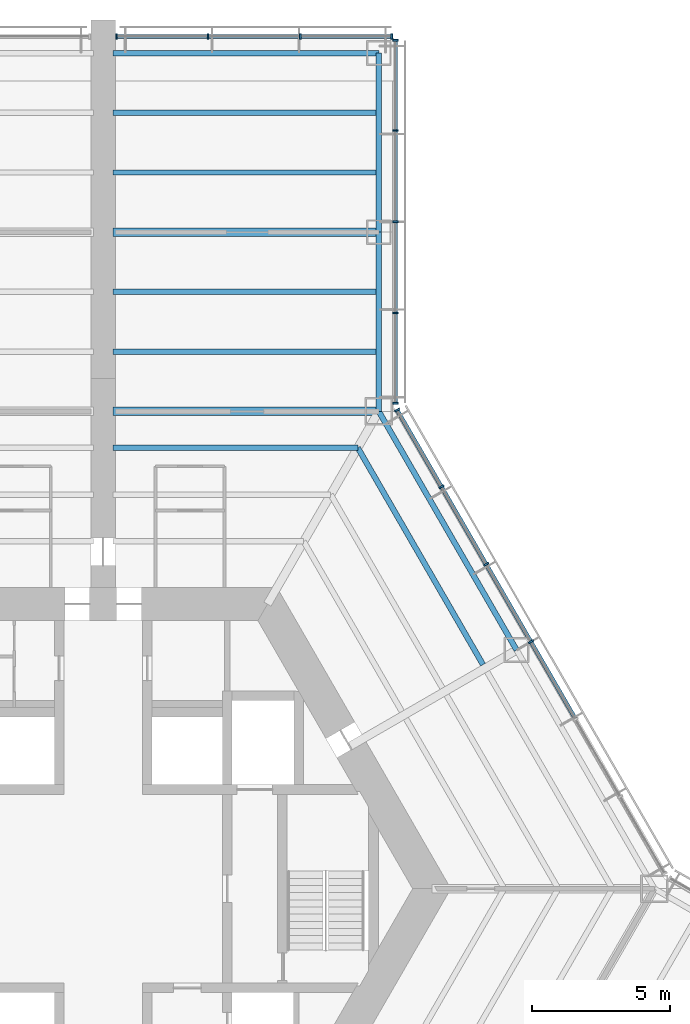
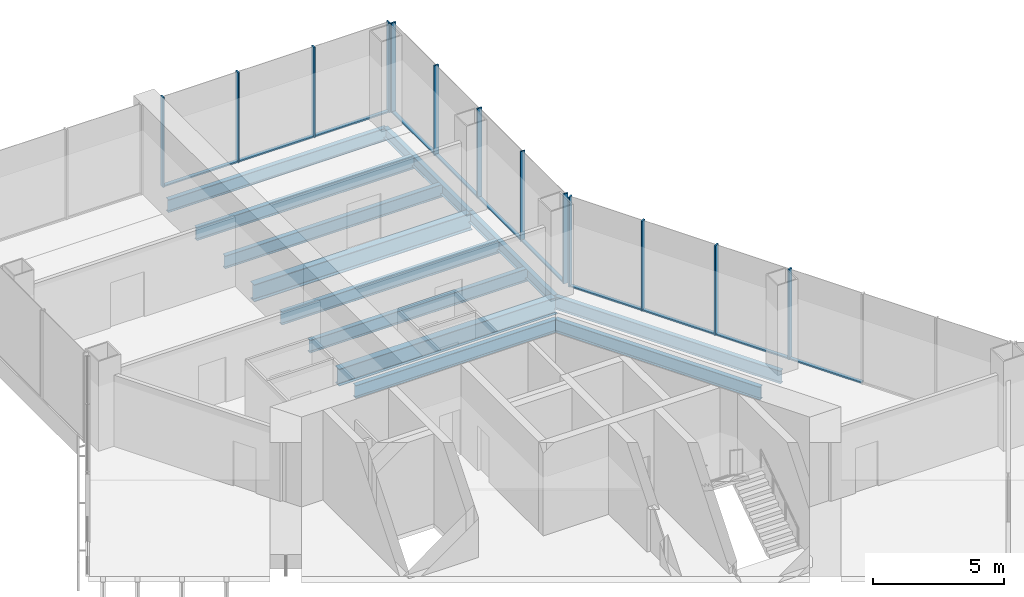
# One storey, part 7 of 15: 24 members, 12 beams, 3 elements without a shape of their own.
"""IFC4 building model written with IfcOpenShell, lengths in metres."""

from ifc_helpers import new_model, si_unit, direction, frame, origin, origin_2d, place, context, subcontext, project, spatial, rectangle, i_section, extrude, material, material_profile, profile_set, type_object, element, aggregate, save


model = new_model("IFC4")

# Units and contexts
model_context = context("Model", 3, precision=1e-05, world=origin(), true_north=direction((0.0, 1.0)))
body_context = subcontext(model_context, "Body", "Model", "MODEL_VIEW")
ifc_project = project(units=[si_unit("LENGTHUNIT", "METRE"), si_unit("AREAUNIT", "SQUARE_METRE"), si_unit("VOLUMEUNIT", "CUBIC_METRE"), si_unit("PLANEANGLEUNIT", "RADIAN"), si_unit("MASSUNIT", "GRAM", prefix="KILO")], contexts=[model_context])

# Site, building, storey
site_placement = place(None, origin())
site = spatial("IfcSite", under=ifc_project, at=site_placement, CompositionType="ELEMENT")
building_placement = place(site_placement, origin())
building = spatial("IfcBuilding", under=site, at=building_placement, Name="Kasaneha Research Tower", CompositionType="ELEMENT")
storey_placement = place(building_placement, frame((0.0, 0.0, 35.199951171875)))
storey = spatial("IfcBuildingStorey", under=building, at=storey_placement, Name="L09", CompositionType="ELEMENT", Elevation=35.199951171875)

# Beams
ifc_material_1 = material(Name="Steel SN490B", Category="steel")
ifc_material_profile_1 = material_profile(ifc_material_1, i_section(OverallWidth=0.199951171875, OverallDepth=0.60009765625, WebThickness=0.010986328125, FlangeThickness=0.01708984375, FilletRadius=0.012939453125, at=origin_2d()), Name="H-600x200x11x17")
ifc_profile_set_1 = profile_set([ifc_material_profile_1], Name="Steel SN490B")
beam_type_1 = type_object("IfcBeamType", Name="B1-2 secondary beam H-600x200x11x17", PredefinedType="JOIST", material=ifc_profile_set_1)
beam_1_placement = place(storey_placement, frame((9.237548828125, 16.0, -0.469970703125), z_axis=(0.500010814234, -0.866019160093, 0.0), x_axis=(0.866019160093, 0.500010814234, 0.0)))
element("IfcBeam", 1, at=beam_1_placement, inside=storey, type_object=beam_type_1, Name="Secondary beam RS030R3 L09", PredefinedType="JOIST", context=body_context, shape_type="SweptSolid", body=[
    extrude(i_section(OverallWidth=0.199951171875, OverallDepth=0.60009765625, WebThickness=0.010986328125, FlangeThickness=0.01708984375, FilletRadius=0.012939453125, at=origin_2d()), origin(), (0.0, 0.0, 1.0), 9.087646484375),
])
beam_2_placement = place(storey_placement, frame((9.237548828125, 16.0, -0.469970703125), z_axis=(-1.0, 0.0, 0.0), x_axis=(0.0, -1.0, 0.0)))
element("IfcBeam", 2, at=beam_2_placement, inside=storey, type_object=beam_type_1, Name="Secondary beam RS090L3 L09", PredefinedType="JOIST", context=body_context, shape_type="SweptSolid", body=[
    extrude(i_section(OverallWidth=0.199951171875, OverallDepth=0.60009765625, WebThickness=0.010986328125, FlangeThickness=0.01708984375, FilletRadius=0.012939453125, at=origin_2d()), origin(), (0.0, 0.0, 1.0), 8.887451171875),
])
ifc_material_2 = material(Name="Steel SN490B", Category="steel")
ifc_material_profile_2 = material_profile(ifc_material_2, i_section(OverallWidth=0.198974609375, OverallDepth=0.595947265625, WebThickness=0.010009765625, FlangeThickness=0.014892578125, FilletRadius=0.012939453125, at=origin_2d()), Name="H-596x199x10x15")
ifc_profile_set_2 = profile_set([ifc_material_profile_2], Name="Steel SN490B")
beam_type_2 = type_object("IfcBeamType", Name="B2-2 secondary beam H-596x199x10x15", PredefinedType="JOIST", material=ifc_profile_set_2)
for number, where, z_axis, x_axis, name in (
    (3, (10.0, 19.487060546875, -0.468017578125), (-1.0, 0.0, 0.0), (0.0, -1.0, 0.0), "Secondary beam WBAP1 L09"),
    (4, (10.0, 21.65380859375, -0.468017578125), (-1.0, 0.0, 0.0), (0.0, -1.0, 0.0), "Secondary beam WBAP2 L09"),
    (5, (10.0, 25.987060546875, -0.468017578125), (-1.0, 0.0, 0.0), (0.0, -1.0, 0.0), "Secondary beam WBAP3 L09"),
    (6, (10.0, 28.15380859375, -0.468017578125), (-1.0, 0.0, 0.0), (0.0, -1.0, 0.0), "Secondary beam WBAP4 L09"),
):
    element("IfcBeam", number, at=place(storey_placement, frame(where, z_axis=z_axis, x_axis=x_axis)), inside=storey, type_object=beam_type_2, Name=name, PredefinedType="JOIST", context=body_context, shape_type="SweptSolid", body=[
        extrude(i_section(OverallWidth=0.198974609375, OverallDepth=0.595947265625, WebThickness=0.010009765625, FlangeThickness=0.014892578125, FilletRadius=0.012939453125, at=origin_2d()), origin(), (0.0, 0.0, 1.0), 9.64990234375),
    ])

# Curtain wall, members
ifc_material_3 = material(Name="Glass and aluminium", Category="aluminium")
curtain_wall_type = type_object("IfcCurtainWallType", Name="Dry laboratory curtain wall", PredefinedType="USERDEFINED", material=ifc_material_3)
curtain_wall_1_placement = place(storey_placement, origin())
curtain_wall_1 = element("IfcCurtainWall", 7, at=curtain_wall_1_placement, inside=storey, type_object=curtain_wall_type, Name="CW-L2 L09 run 07a", ObjectType="UNITISED CURTAIN WALL", PredefinedType="USERDEFINED")
ifc_material_4 = material(Name="Aluminium 6063-T6", Category="aluminium")
ifc_material_profile_3 = material_profile(ifc_material_4, rectangle(XDim=0.06494140625, YDim=0.199951171875, at=origin_2d()), Name="CW-L2 mullion 65x200")
ifc_profile_set_3 = profile_set([ifc_material_profile_3], Name="Aluminium 6063-T6")
member_type_1 = type_object("IfcMemberType", Name="CW-L2 mullion", PredefinedType="MULLION", material=ifc_profile_set_3)
member_1_placement = place(storey_placement, frame((15.51953125, 8.960205078125, 0.0), z_axis=(0.0, 0.0, 1.0), x_axis=(-0.49999996188, 0.866025425793, 0.0)))
member_1 = element("IfcMember", 8, at=member_1_placement, type_object=member_type_1, Name="CW-L2 mullion 4", PredefinedType="MULLION", context=body_context, shape_type="SweptSolid", body=[
    extrude(rectangle(XDim=0.06494140625, YDim=0.199951171875, at=origin_2d()), origin(), (0.0, 0.0, 1.0), 4.199951171875),
])
member_2_placement = place(storey_placement, frame((13.896484375, 11.771728515625, 0.0), z_axis=(0.0, 0.0, 1.0), x_axis=(-0.49999996188, 0.866025425793, 0.0)))
member_2 = element("IfcMember", 9, at=member_2_placement, type_object=member_type_1, Name="CW-L2 mullion 5", PredefinedType="MULLION", context=body_context, shape_type="SweptSolid", body=[
    extrude(rectangle(XDim=0.06494140625, YDim=0.199951171875, at=origin_2d()), origin(), (0.0, 0.0, 1.0), 4.199951171875),
])
member_3_placement = place(storey_placement, frame((12.273193359375, 14.583251953125, 0.0), z_axis=(0.0, 0.0, 1.0), x_axis=(-0.49999996188, 0.866025425793, 0.0)))
member_3 = element("IfcMember", 10, at=member_3_placement, type_object=member_type_1, Name="CW-L2 mullion 6", PredefinedType="MULLION", context=body_context, shape_type="SweptSolid", body=[
    extrude(rectangle(XDim=0.06494140625, YDim=0.199951171875, at=origin_2d()), origin(), (0.0, 0.0, 1.0), 4.199951171875),
])
member_4_placement = place(storey_placement, frame((10.666259765625, 17.366455078125, 0.0), z_axis=(0.0, 0.0, 1.0), x_axis=(-0.49999996188, 0.866025425793, 0.0)))
member_4 = element("IfcMember", 11, at=member_4_placement, type_object=member_type_1, Name="CW-L2 mullion 7", PredefinedType="MULLION", context=body_context, shape_type="SweptSolid", body=[
    extrude(rectangle(XDim=0.06494140625, YDim=0.199951171875, at=origin_2d()), origin(), (0.0, 0.0, 1.0), 4.199951171875),
])

curtain_wall_2_placement = place(storey_placement, origin())
curtain_wall_2 = element("IfcCurtainWall", 12, at=curtain_wall_2_placement, inside=storey, type_object=curtain_wall_type, Name="CW-L2 L09 run 08a", ObjectType="UNITISED CURTAIN WALL", PredefinedType="USERDEFINED")
member_5_placement = place(storey_placement, frame((10.60009765625, 17.61376953125, 0.0), z_axis=(0.0, 0.0, 1.0), x_axis=(0.0, 1.0, 0.0)))
member_5 = element("IfcMember", 13, at=member_5_placement, type_object=member_type_1, Name="CW-L2 mullion 1", PredefinedType="MULLION", context=body_context, shape_type="SweptSolid", body=[
    extrude(rectangle(XDim=0.06494140625, YDim=0.199951171875, at=origin_2d()), origin(), (0.0, 0.0, 1.0), 4.199951171875),
])
member_6_placement = place(storey_placement, frame((10.60009765625, 20.89111328125, 0.0), z_axis=(0.0, 0.0, 1.0), x_axis=(0.0, 1.0, 0.0)))
member_6 = element("IfcMember", 14, at=member_6_placement, type_object=member_type_1, Name="CW-L2 mullion 2", PredefinedType="MULLION", context=body_context, shape_type="SweptSolid", body=[
    extrude(rectangle(XDim=0.06494140625, YDim=0.199951171875, at=origin_2d()), origin(), (0.0, 0.0, 1.0), 4.199951171875),
])
member_7_placement = place(storey_placement, frame((10.60009765625, 24.200927734375, 0.0), z_axis=(0.0, 0.0, 1.0), x_axis=(0.0, 1.0, 0.0)))
member_7 = element("IfcMember", 15, at=member_7_placement, type_object=member_type_1, Name="CW-L2 mullion 3", PredefinedType="MULLION", context=body_context, shape_type="SweptSolid", body=[
    extrude(rectangle(XDim=0.06494140625, YDim=0.199951171875, at=origin_2d()), origin(), (0.0, 0.0, 1.0), 4.199951171875),
])
member_8_placement = place(storey_placement, frame((10.60009765625, 27.5107421875, 0.0), z_axis=(0.0, 0.0, 1.0), x_axis=(0.0, 1.0, 0.0)))
member_8 = element("IfcMember", 16, at=member_8_placement, type_object=member_type_1, Name="CW-L2 mullion 4", PredefinedType="MULLION", context=body_context, shape_type="SweptSolid", body=[
    extrude(rectangle(XDim=0.06494140625, YDim=0.199951171875, at=origin_2d()), origin(), (0.0, 0.0, 1.0), 4.199951171875),
])
member_9_placement = place(storey_placement, frame((10.60009765625, 30.7880859375, 0.0), z_axis=(0.0, 0.0, 1.0), x_axis=(0.0, 1.0, 0.0)))
member_9 = element("IfcMember", 17, at=member_9_placement, type_object=member_type_1, Name="CW-L2 mullion 5", PredefinedType="MULLION", context=body_context, shape_type="SweptSolid", body=[
    extrude(rectangle(XDim=0.06494140625, YDim=0.199951171875, at=origin_2d()), origin(), (0.0, 0.0, 1.0), 4.199951171875),
])

curtain_wall_3_placement = place(storey_placement, origin())
curtain_wall_3 = element("IfcCurtainWall", 18, at=curtain_wall_3_placement, inside=storey, type_object=curtain_wall_type, Name="CW-L2 L09 run 09a", ObjectType="UNITISED CURTAIN WALL", PredefinedType="USERDEFINED")
member_10_placement = place(storey_placement, frame((10.467529296875, 30.92041015625, 0.0), z_axis=(0.0, 0.0, 1.0), x_axis=(-1.0, 0.0, 0.0)))
member_10 = element("IfcMember", 19, at=member_10_placement, type_object=member_type_1, Name="CW-L2 mullion 1", PredefinedType="MULLION", context=body_context, shape_type="SweptSolid", body=[
    extrude(rectangle(XDim=0.06494140625, YDim=0.199951171875, at=origin_2d()), origin(), (0.0, 0.0, 1.0), 4.199951171875),
])
member_11_placement = place(storey_placement, frame((7.14990234375, 30.92041015625, 0.0), z_axis=(0.0, 0.0, 1.0), x_axis=(-1.0, 0.0, 0.0)))
member_11 = element("IfcMember", 20, at=member_11_placement, type_object=member_type_1, Name="CW-L2 mullion 2", PredefinedType="MULLION", context=body_context, shape_type="SweptSolid", body=[
    extrude(rectangle(XDim=0.06494140625, YDim=0.199951171875, at=origin_2d()), origin(), (0.0, 0.0, 1.0), 4.199951171875),
])
member_12_placement = place(storey_placement, frame((3.800048828125, 30.92041015625, 0.0), z_axis=(0.0, 0.0, 1.0), x_axis=(-1.0, 0.0, 0.0)))
member_12 = element("IfcMember", 21, at=member_12_placement, type_object=member_type_1, Name="CW-L2 mullion 3", PredefinedType="MULLION", context=body_context, shape_type="SweptSolid", body=[
    extrude(rectangle(XDim=0.06494140625, YDim=0.199951171875, at=origin_2d()), origin(), (0.0, 0.0, 1.0), 4.199951171875),
])
member_13_placement = place(storey_placement, frame((0.482421875, 30.92041015625, 0.0), z_axis=(0.0, 0.0, 1.0), x_axis=(-1.0, 0.0, 0.0)))
member_13 = element("IfcMember", 22, at=member_13_placement, type_object=member_type_1, Name="CW-L2 mullion 4", PredefinedType="MULLION", context=body_context, shape_type="SweptSolid", body=[
    extrude(rectangle(XDim=0.06494140625, YDim=0.199951171875, at=origin_2d()), origin(), (0.0, 0.0, 1.0), 4.199951171875),
])

# Member
ifc_material_5 = material(Name="Aluminium 6063-T6", Category="aluminium")
ifc_material_profile_4 = material_profile(ifc_material_5, rectangle(XDim=0.14990234375, YDim=0.06494140625, at=origin_2d()), Name="CW-L2 transom 150x65")
ifc_profile_set_4 = profile_set([ifc_material_profile_4], Name="Aluminium 6063-T6")
member_type_2 = type_object("IfcMemberType", Name="CW-L2 transom", PredefinedType="USERDEFINED", material=ifc_profile_set_4)
member_14_placement = place(storey_placement, frame((17.12646484375, 6.177001953125, 0.032470703125), z_axis=(-0.499977104415, 0.866038622153, 0.0), x_axis=(-0.866038622153, -0.499977104415, 0.0)))
member_14 = element("IfcMember", 23, at=member_14_placement, type_object=member_type_2, Name="CW-L2 transom 3", ObjectType="TRANSOM", PredefinedType="USERDEFINED", context=body_context, shape_type="SweptSolid", body=[
    extrude(rectangle(XDim=0.14990234375, YDim=0.06494140625, at=origin_2d()), origin(), (0.0, 0.0, 1.0), 3.181396484375),
])

member_15_placement = place(storey_placement, frame((15.50341796875, 8.98828125, 0.032470703125), z_axis=(-0.500001430823, 0.866024577697, 0.0), x_axis=(-0.866024577697, -0.500001430823, 0.0)))
member_15 = element("IfcMember", 24, at=member_15_placement, type_object=member_type_2, Name="CW-L2 transom 4", ObjectType="TRANSOM", PredefinedType="USERDEFINED", context=body_context, shape_type="SweptSolid", body=[
    extrude(rectangle(XDim=0.14990234375, YDim=0.06494140625, at=origin_2d()), origin(), (0.0, 0.0, 1.0), 3.181640625),
])

member_16_placement = place(storey_placement, frame((13.880126953125, 11.7998046875, 0.032470703125), z_axis=(-0.499943876812, 0.866057804098, 0.0), x_axis=(-0.866057804098, -0.499943876812, 0.0)))
member_16 = element("IfcMember", 25, at=member_16_placement, type_object=member_type_2, Name="CW-L2 transom 5", ObjectType="TRANSOM", PredefinedType="USERDEFINED", context=body_context, shape_type="SweptSolid", body=[
    extrude(rectangle(XDim=0.14990234375, YDim=0.06494140625, at=origin_2d()), origin(), (0.0, 0.0, 1.0), 3.181396484375),
])

member_17_placement = place(storey_placement, frame((12.2568359375, 14.611328125, 0.032470703125), z_axis=(-0.499941702305, 0.866059059358, 0.0), x_axis=(-0.866059059358, -0.499941702305, 0.0)))
member_17 = element("IfcMember", 26, at=member_17_placement, type_object=member_type_2, Name="CW-L2 transom 6", ObjectType="TRANSOM", PredefinedType="USERDEFINED", context=body_context, shape_type="SweptSolid", body=[
    extrude(rectangle(XDim=0.14990234375, YDim=0.06494140625, at=origin_2d()), origin(), (0.0, 0.0, 1.0), 3.14892578125),
])

aggregate(curtain_wall_1, [member_1, member_2, member_3, member_4, member_14, member_15, member_16, member_17])

member_18_placement = place(storey_placement, frame((10.60009765625, 17.646240234375, 0.032470703125), z_axis=(0.0, 1.0, 0.0), x_axis=(-1.0, 0.0, 0.0)))
member_18 = element("IfcMember", 27, at=member_18_placement, type_object=member_type_2, Name="CW-L2 transom 1", ObjectType="TRANSOM", PredefinedType="USERDEFINED", context=body_context, shape_type="SweptSolid", body=[
    extrude(rectangle(XDim=0.14990234375, YDim=0.06494140625, at=origin_2d()), origin(), (0.0, 0.0, 1.0), 3.21240234375),
])

member_19_placement = place(storey_placement, frame((10.60009765625, 20.923583984375, 0.032470703125), z_axis=(0.0, 1.0, 0.0), x_axis=(-1.0, 0.0, 0.0)))
member_19 = element("IfcMember", 28, at=member_19_placement, type_object=member_type_2, Name="CW-L2 transom 2", ObjectType="TRANSOM", PredefinedType="USERDEFINED", context=body_context, shape_type="SweptSolid", body=[
    extrude(rectangle(XDim=0.14990234375, YDim=0.06494140625, at=origin_2d()), origin(), (0.0, 0.0, 1.0), 3.244873046875),
])

member_20_placement = place(storey_placement, frame((10.60009765625, 24.2333984375, 0.032470703125), z_axis=(0.0, 1.0, 0.0), x_axis=(-1.0, 0.0, 0.0)))
member_20 = element("IfcMember", 29, at=member_20_placement, type_object=member_type_2, Name="CW-L2 transom 3", ObjectType="TRANSOM", PredefinedType="USERDEFINED", context=body_context, shape_type="SweptSolid", body=[
    extrude(rectangle(XDim=0.14990234375, YDim=0.06494140625, at=origin_2d()), origin(), (0.0, 0.0, 1.0), 3.244873046875),
])

member_21_placement = place(storey_placement, frame((10.60009765625, 27.543212890625, 0.032470703125), z_axis=(0.0, 1.0, 0.0), x_axis=(-1.0, 0.0, 0.0)))
member_21 = element("IfcMember", 30, at=member_21_placement, type_object=member_type_2, Name="CW-L2 transom 4", ObjectType="TRANSOM", PredefinedType="USERDEFINED", context=body_context, shape_type="SweptSolid", body=[
    extrude(rectangle(XDim=0.14990234375, YDim=0.06494140625, at=origin_2d()), origin(), (0.0, 0.0, 1.0), 3.21240234375),
])

aggregate(curtain_wall_2, [member_5, member_6, member_7, member_8, member_9, member_18, member_19, member_20, member_21])

member_22_placement = place(storey_placement, frame((10.43505859375, 30.92041015625, 0.032470703125), z_axis=(-1.0, 0.0, 0.0), x_axis=(0.0, -1.0, 0.0)))
member_22 = element("IfcMember", 31, at=member_22_placement, type_object=member_type_2, Name="CW-L2 transom 1", ObjectType="TRANSOM", PredefinedType="USERDEFINED", context=body_context, shape_type="SweptSolid", body=[
    extrude(rectangle(XDim=0.14990234375, YDim=0.06494140625, at=origin_2d()), origin(), (0.0, 0.0, 1.0), 3.25244140625),
])

member_23_placement = place(storey_placement, frame((7.117431640625, 30.92041015625, 0.032470703125), z_axis=(-1.0, 0.0, 0.0), x_axis=(0.0, -1.0, 0.0)))
member_23 = element("IfcMember", 32, at=member_23_placement, type_object=member_type_2, Name="CW-L2 transom 2", ObjectType="TRANSOM", PredefinedType="USERDEFINED", context=body_context, shape_type="SweptSolid", body=[
    extrude(rectangle(XDim=0.14990234375, YDim=0.06494140625, at=origin_2d()), origin(), (0.0, 0.0, 1.0), 3.284912109375),
])

member_24_placement = place(storey_placement, frame((3.767578125, 30.92041015625, 0.032470703125), z_axis=(-1.0, 0.0, 0.0), x_axis=(0.0, -1.0, 0.0)))
member_24 = element("IfcMember", 33, at=member_24_placement, type_object=member_type_2, Name="CW-L2 transom 3", ObjectType="TRANSOM", PredefinedType="USERDEFINED", context=body_context, shape_type="SweptSolid", body=[
    extrude(rectangle(XDim=0.14990234375, YDim=0.06494140625, at=origin_2d()), origin(), (0.0, 0.0, 1.0), 3.252685546875),
])

aggregate(curtain_wall_3, [member_10, member_11, member_12, member_13, member_22, member_23, member_24])

# Beams
ifc_material_6 = material(Name="Steel SN490B", Category="steel")
ifc_material_profile_5 = material_profile(ifc_material_6, i_section(OverallWidth=0.300048828125, OverallDepth=0.7919921875, WebThickness=0.013916015625, FlangeThickness=0.02197265625, FilletRadius=0.01806640625, at=origin_2d()), Name="H-792x300x14x22")
ifc_profile_set_5 = profile_set([ifc_material_profile_5], Name="Steel SN490B")
beam_type_3 = type_object("IfcBeamType", Name="G3-2 plate edge girder H-792x300x14x22", PredefinedType="BEAM", material=ifc_profile_set_5)
beam_3_placement = place(storey_placement, frame((10.0, 17.320556640625, -0.56591796875), z_axis=(-1.0, 0.0, 0.0), x_axis=(0.0, -1.0, 0.0)))
element("IfcBeam", 34, at=beam_3_placement, inside=storey, type_object=beam_type_3, Name="Plate edge girder PEAP L09", PredefinedType="BEAM", context=body_context, shape_type="SweptSolid", body=[
    extrude(i_section(OverallWidth=0.300048828125, OverallDepth=0.7919921875, WebThickness=0.013916015625, FlangeThickness=0.02197265625, FilletRadius=0.01806640625, at=origin_2d()), origin(), (0.0, 0.0, 1.0), 9.64990234375),
])
ifc_material_7 = material(Name="Steel SN490B", Category="steel")
ifc_material_profile_6 = material_profile(ifc_material_7, i_section(OverallWidth=0.300048828125, OverallDepth=0.800048828125, WebThickness=0.013916015625, FlangeThickness=0.02587890625, FilletRadius=0.01806640625, at=origin_2d()), Name="H-800x300x14x26")
ifc_profile_set_6 = profile_set([ifc_material_profile_6], Name="Steel SN490B")
beam_type_4 = type_object("IfcBeamType", Name="G4-2 wing girder H-800x300x14x26", PredefinedType="BEAM", material=ifc_profile_set_6)
beam_4_placement = place(storey_placement, frame((10.0, 23.820556640625, -0.570068359375), z_axis=(-1.0, 0.0, 0.0), x_axis=(0.0, -1.0, 0.0)))
element("IfcBeam", 35, at=beam_4_placement, inside=storey, type_object=beam_type_4, Name="Wing girder WGAP L09", PredefinedType="BEAM", context=body_context, shape_type="SweptSolid", body=[
    extrude(i_section(OverallWidth=0.300048828125, OverallDepth=0.800048828125, WebThickness=0.013916015625, FlangeThickness=0.02587890625, FilletRadius=0.01806640625, at=origin_2d()), origin(), (0.0, 0.0, 1.0), 9.64990234375),
])
ifc_material_8 = material(Name="Steel SN490B", Category="steel")
ifc_material_profile_7 = material_profile(ifc_material_8, i_section(OverallWidth=0.199951171875, OverallDepth=0.60009765625, WebThickness=0.010986328125, FlangeThickness=0.01708984375, FilletRadius=0.012939453125, at=origin_2d()), Name="H-600x200x11x17")
ifc_profile_set_7 = profile_set([ifc_material_profile_7], Name="Steel SN490B")
beam_type_5 = type_object("IfcBeamType", Name="SB1-2 spandrel beam H-600x200x11x17", PredefinedType="SPANDREL", material=ifc_profile_set_7)
beam_5_placement = place(storey_placement, frame((10.0, 17.320556640625, -0.469970703125), z_axis=(0.499993662806, -0.866029062534, 0.0), x_axis=(0.866029062534, 0.499993662806, 0.0)))
element("IfcBeam", 36, at=beam_5_placement, inside=storey, type_object=beam_type_5, Name="Spandrel beam SR030R L09", PredefinedType="SPANDREL", context=body_context, shape_type="SweptSolid", body=[
    extrude(i_section(OverallWidth=0.199951171875, OverallDepth=0.60009765625, WebThickness=0.010986328125, FlangeThickness=0.01708984375, FilletRadius=0.012939453125, at=origin_2d()), origin(), (0.0, 0.0, 1.0), 10.000244140625),
])
ifc_material_9 = material(Name="Steel SN490B", Category="steel")
ifc_material_profile_8 = material_profile(ifc_material_9, i_section(OverallWidth=0.199951171875, OverallDepth=0.5, WebThickness=0.010009765625, FlangeThickness=0.01611328125, FilletRadius=0.012939453125, at=origin_2d()), Name="H-500x200x10x16")
ifc_profile_set_8 = profile_set([ifc_material_profile_8], Name="Steel SN490B")
beam_type_6 = type_object("IfcBeamType", Name="SB2-2 spandrel beam H-500x200x10x16", PredefinedType="SPANDREL", material=ifc_profile_set_8)
for number, where, z_axis, x_axis, name in (
    (37, (10.0, 17.320556640625, -0.419921875), (0.0, 1.0, 0.0), (-1.0, 0.0, 0.0), "Spandrel beam WSAP1 L09"),
    (38, (10.0, 23.820556640625, -0.419921875), (0.0, 1.0, 0.0), (-1.0, 0.0, 0.0), "Spandrel beam WSAP2 L09"),
):
    element("IfcBeam", number, at=place(storey_placement, frame(where, z_axis=z_axis, x_axis=x_axis)), inside=storey, type_object=beam_type_6, Name=name, PredefinedType="SPANDREL", context=body_context, shape_type="SweptSolid", body=[
        extrude(i_section(OverallWidth=0.199951171875, OverallDepth=0.5, WebThickness=0.010009765625, FlangeThickness=0.01611328125, FilletRadius=0.012939453125, at=origin_2d()), origin(), (0.0, 0.0, 1.0), 6.5),
    ])
ifc_material_10 = material(Name="Steel SN490B", Category="steel")
ifc_material_profile_9 = material_profile(ifc_material_10, i_section(OverallWidth=0.199951171875, OverallDepth=0.60009765625, WebThickness=0.010986328125, FlangeThickness=0.01708984375, FilletRadius=0.012939453125, at=origin_2d()), Name="H-600x200x11x17")
ifc_profile_set_9 = profile_set([ifc_material_profile_9], Name="Steel SN490B")
beam_type_7 = type_object("IfcBeamType", Name="SB3-2 spandrel beam H-600x200x11x17", PredefinedType="SPANDREL", material=ifc_profile_set_9)
beam_6_placement = place(storey_placement, frame((10.0, 30.320556640625, -0.469970703125), z_axis=(-1.0, 0.0, 0.0), x_axis=(0.0, -1.0, 0.0)))
element("IfcBeam", 39, at=beam_6_placement, inside=storey, type_object=beam_type_7, Name="Spandrel beam WTAP L09", PredefinedType="SPANDREL", context=body_context, shape_type="SweptSolid", body=[
    extrude(i_section(OverallWidth=0.199951171875, OverallDepth=0.60009765625, WebThickness=0.010986328125, FlangeThickness=0.01708984375, FilletRadius=0.012939453125, at=origin_2d()), origin(), (0.0, 0.0, 1.0), 9.64990234375),
])

save(model, "model.ifc")
